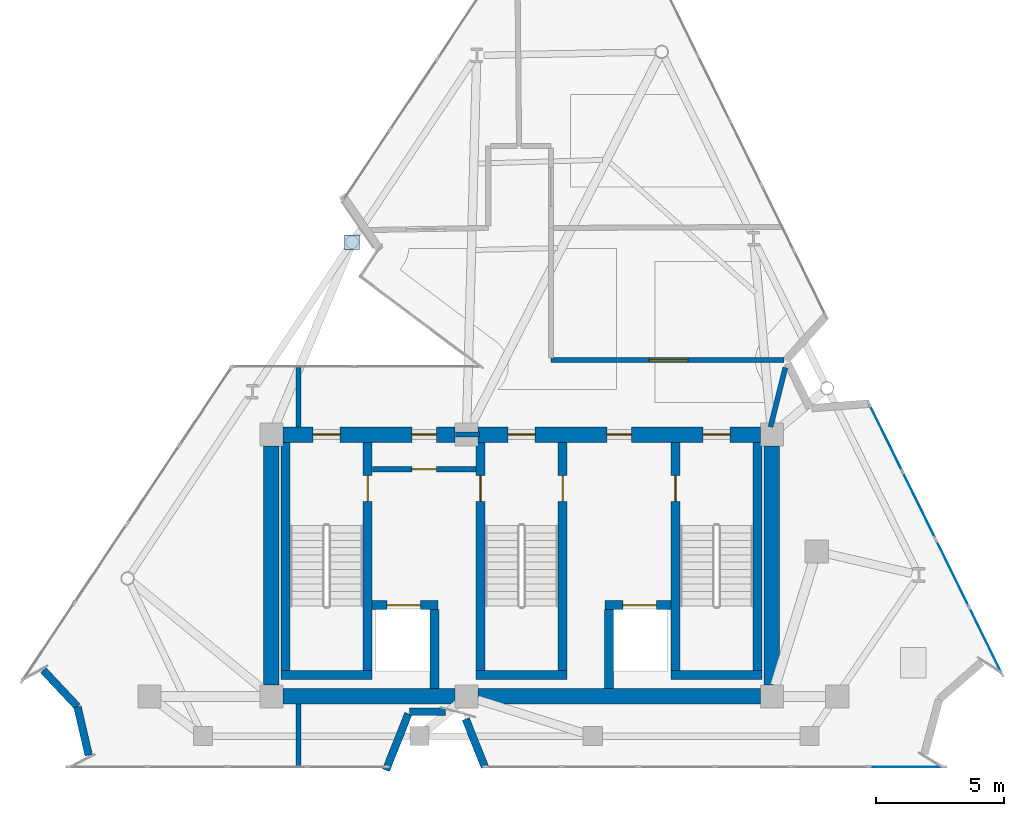
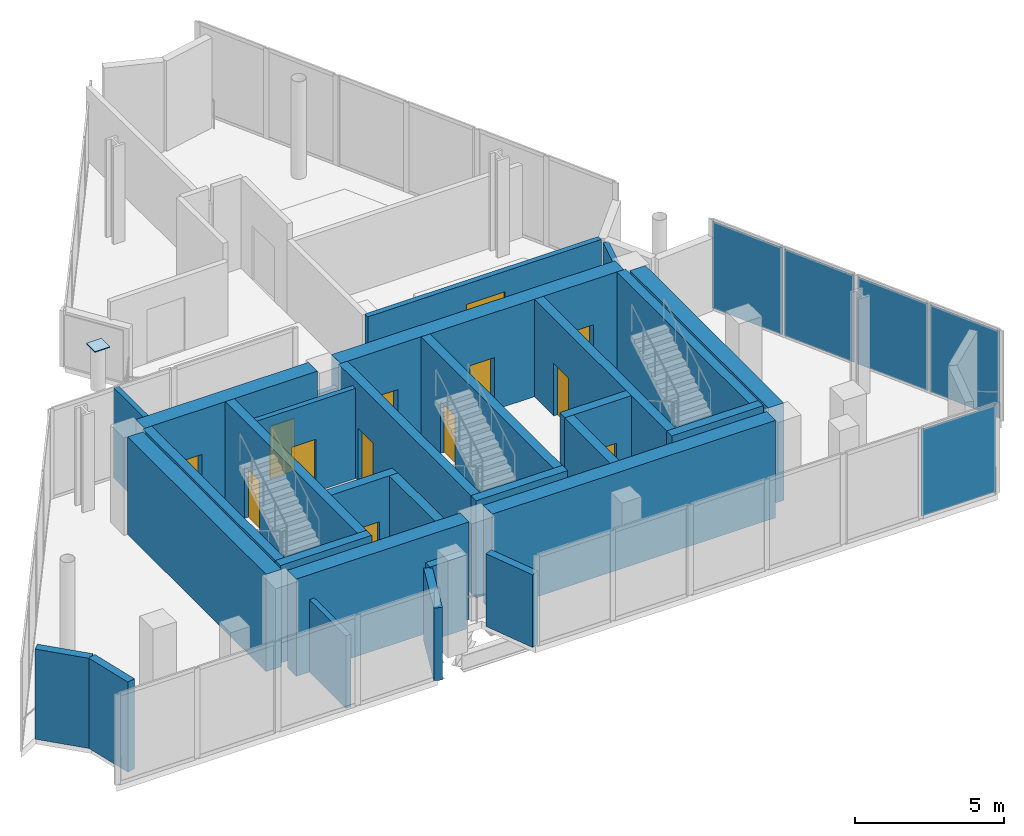
# One storey, part 6 of 9: 30 walls, 13 doors, 6 plates, 13 openings, 3 elements without a shape of their own.
"""IFC4 building model written with IfcOpenShell, lengths in metres."""

from ifc_helpers import new_model, si_unit, direction, frame, frame_2d, origin, origin_2d, place, context, subcontext, project, spatial, rectangle, extrude, material, layer, layer_set, type_object, element, fill, aggregate, save


model = new_model("IFC4")

# Units and contexts
model_context = context("Model", 3, precision=1e-05, world=origin(), true_north=direction((0.0, 1.0)))
body_context = subcontext(model_context, "Body", "Model", "MODEL_VIEW")
ifc_project = project(units=[si_unit("LENGTHUNIT", "METRE"), si_unit("AREAUNIT", "SQUARE_METRE"), si_unit("VOLUMEUNIT", "CUBIC_METRE"), si_unit("PLANEANGLEUNIT", "RADIAN"), si_unit("MASSUNIT", "GRAM", prefix="KILO")], contexts=[model_context])

# Site, building, storey
site_placement = place(None, origin())
site = spatial("IfcSite", under=ifc_project, at=site_placement, CompositionType="ELEMENT")
building_placement = place(site_placement, origin())
building = spatial("IfcBuilding", under=site, at=building_placement, Name="Almagre Mirador Tower", CompositionType="ELEMENT")
storey_placement = place(building_placement, frame((0.0, 0.0, 314.5)))
storey = spatial("IfcBuildingStorey", under=building, at=storey_placement, Name="L81", CompositionType="ELEMENT", Elevation=314.5)

# Plate
ifc_material_1 = material(Name="Steel ASTM A572 Grade 50", Category="steel")
ifc_layer_1 = layer(ifc_material_1, 0.035888671875)
ifc_layer_set_1 = layer_set([ifc_layer_1], Name="Steel ASTM A572 Grade 50")
plate_type_1 = type_object("IfcPlateType", Name="PLT-GUS-1350X900X36", PredefinedType="USERDEFINED", material=ifc_layer_set_1)
plate_1_placement = place(storey_placement, frame((30.69189453125, 22.24609375, 1.71484375), z_axis=(0.0, 0.0, 1.0), x_axis=(1.0, 0.0, 0.0)))
element("IfcPlate", 1, at=plate_1_placement, inside=storey, type_object=plate_type_1, Name="L81 hollow column top seal cap plate PC10 GP-02", ObjectType="GUSSET_PLATE", PredefinedType="USERDEFINED", context=body_context, shape_type="SweptSolid", body=[
    extrude(rectangle(XDim=0.580078125, YDim=0.580078125, at=origin_2d()), origin(), (0.0, 0.0, 1.0), 0.035888671875),
])

# Curtain wall, plates
ifc_material_2 = material(Name="Black anodized aluminium", Category="aluminium")
ifc_layer_2 = layer(ifc_material_2, 0.2099609375)
ifc_layer_set_2 = layer_set([ifc_layer_2], Name="Black anodized aluminium")
curtain_wall_type = type_object("IfcCurtainWallType", Name="CW-CRN-SYS", PredefinedType="NOTDEFINED", material=ifc_layer_set_2)
curtain_wall_1_placement = place(storey_placement, origin())
curtain_wall_1 = element("IfcCurtainWall", 2, at=curtain_wall_1_placement, inside=storey, type_object=curtain_wall_type, Name="L81 curtain wall run 10", PredefinedType="NOTDEFINED")
ifc_material_3 = material(Name="Dark solar-control laminated hurricane glass", Category="glass")
ifc_layer_3 = layer(ifc_material_3, 0.030029296875)
ifc_layer_set_3 = layer_set([ifc_layer_3], Name="Dark solar-control laminated hurricane glass")
plate_type_2 = type_object("IfcPlateType", Name="PLT-SPN-30", PredefinedType="CURTAIN_PANEL", material=ifc_layer_set_3)
plate_2_placement = place(storey_placement, frame((51.495361328125, 14.6201171875, 0.06494140625), z_axis=(0.0, 0.0, 1.0), x_axis=(0.441293649286, -0.897362755579, 0.0)))
plate_2 = element("IfcPlate", 3, at=plate_2_placement, type_object=plate_type_2, Name="CW-6 panel 1.1", PredefinedType="CURTAIN_PANEL", context=body_context, shape_type="SweptSolid", body=[
    extrude(rectangle(XDim=2.839111328125, YDim=0.030029296875, at=origin_2d()), origin(), (0.0, 0.0, 1.0), 3.570068359375),
])
plate_3_placement = place(storey_placement, frame((52.779296875, 12.009765625, 0.06494140625), z_axis=(0.0, 0.0, 1.0), x_axis=(0.441293649286, -0.897362755579, 0.0)))
plate_3 = element("IfcPlate", 4, at=plate_3_placement, type_object=plate_type_2, Name="CW-6 panel 2.1", PredefinedType="CURTAIN_PANEL", context=body_context, shape_type="SweptSolid", body=[
    extrude(rectangle(XDim=2.839111328125, YDim=0.030029296875, at=origin_2d()), origin(), (0.0, 0.0, 1.0), 3.570068359375),
])
aggregate(curtain_wall_1, [plate_2, plate_3])

curtain_wall_2_placement = place(storey_placement, origin())
curtain_wall_2 = element("IfcCurtainWall", 5, at=curtain_wall_2_placement, inside=storey, type_object=curtain_wall_type, Name="L81 curtain wall run 11", PredefinedType="NOTDEFINED")
plate_4_placement = place(storey_placement, frame((54.09375, 9.33642578125, 0.06494140625), z_axis=(0.0, 0.0, 1.0), x_axis=(0.441293649286, -0.897362755579, 0.0)))
plate_4 = element("IfcPlate", 6, at=plate_4_placement, type_object=plate_type_2, Name="CW-6 panel 1.1", PredefinedType="CURTAIN_PANEL", context=body_context, shape_type="SweptSolid", body=[
    extrude(rectangle(XDim=2.839111328125, YDim=0.030029296875, at=origin_2d()), origin(), (0.0, 0.0, 1.0), 3.570068359375),
])
plate_5_placement = place(storey_placement, frame((55.377685546875, 6.725830078125, 0.06494140625), z_axis=(0.0, 0.0, 1.0), x_axis=(0.441293649286, -0.897362755579, 0.0)))
plate_5 = element("IfcPlate", 7, at=plate_5_placement, type_object=plate_type_2, Name="CW-6 panel 2.1", PredefinedType="CURTAIN_PANEL", context=body_context, shape_type="SweptSolid", body=[
    extrude(rectangle(XDim=2.839111328125, YDim=0.030029296875, at=origin_2d()), origin(), (0.0, 0.0, 1.0), 3.570068359375),
])
aggregate(curtain_wall_2, [plate_4, plate_5])

# Curtain wall, plate
curtain_wall_3_placement = place(storey_placement, origin())
curtain_wall_3 = element("IfcCurtainWall", 8, at=curtain_wall_3_placement, inside=storey, type_object=curtain_wall_type, Name="L81 curtain wall run 12", PredefinedType="NOTDEFINED")
plate_6_placement = place(storey_placement, frame((52.28759765625, 1.800048828125, 0.06494140625), z_axis=(0.0, 0.0, 1.0), x_axis=(-1.0, 0.0, 0.0)))
plate_6 = element("IfcPlate", 9, at=plate_6_placement, type_object=plate_type_2, Name="CW-6 panel 1.1", PredefinedType="CURTAIN_PANEL", context=body_context, shape_type="SweptSolid", body=[
    extrude(rectangle(XDim=2.88427734375, YDim=0.030029296875, at=origin_2d()), origin(), (0.0, 0.0, 1.0), 3.570068359375),
])
aggregate(curtain_wall_3, [plate_6])

# Walls
ifc_material_4 = material(Name="Precast concrete C50/60", Category="concrete")
ifc_layer_4 = layer(ifc_material_4, 0.300048828125)
ifc_layer_set_4 = layer_set([ifc_layer_4], Name="Precast concrete C50/60")
wall_type_1 = type_object("IfcWallType", Name="WAL-EXT-300", PredefinedType="SOLIDWALL", material=ifc_layer_set_4)
wall_1_placement = place(storey_placement, frame((35.864013671875, 1.80029296875, 0.0), z_axis=(0.0, 0.0, 1.0), x_axis=(-0.369567038621, 0.92920407014, 0.0)))
element("IfcWall", 10, at=wall_1_placement, inside=storey, type_object=wall_type_1, Name="L81 expressed almagre precast frame wall 09", PredefinedType="SOLIDWALL", context=body_context, shape_type="SweptSolid", body=[
    extrude(rectangle(XDim=2.009033203125, YDim=0.300048828125, at=frame_2d((1.00439453125, 0.0))), origin(), (0.0, 0.0, 1.0), 2.98193359375),
])
wall_2_placement = place(storey_placement, frame((34.340087890625, 3.949951171875, 0.0), z_axis=(0.0, 0.0, 1.0), x_axis=(-1.0, 0.0, 0.0)))
element("IfcWall", 11, at=wall_2_placement, inside=storey, type_object=wall_type_1, Name="L81 expressed almagre precast frame wall 10", PredefinedType="SOLIDWALL", context=body_context, shape_type="SweptSolid", body=[
    extrude(rectangle(XDim=1.414306640625, YDim=0.300048828125, at=frame_2d((0.70703125, 0.0))), origin(), (0.0, 0.0, 1.0), 3.0400390625),
])
wall_3_placement = place(storey_placement, frame((32.88818359375, 3.872314453125, 0.0), z_axis=(0.0, 0.0, 1.0), x_axis=(-0.369524949217, -0.929220809015, 0.0)))
element("IfcWall", 12, at=wall_3_placement, inside=storey, type_object=wall_type_1, Name="L81 expressed almagre precast frame wall 11", PredefinedType="SOLIDWALL", context=body_context, shape_type="SweptSolid", body=[
    extrude(rectangle(XDim=2.369873046875, YDim=0.300048828125, at=frame_2d((1.18505859375, 0.0))), origin(), (0.0, 0.0, 1.0), 2.98193359375),
])
wall_4_placement = place(storey_placement, frame((20.431396484375, 2.25341796875, 0.0), z_axis=(0.0, 0.0, 1.0), x_axis=(-0.226355436514, 0.97404477123, 0.0)))
element("IfcWall", 13, at=wall_4_placement, inside=storey, type_object=wall_type_1, Name="L81 expressed almagre precast frame wall 12", PredefinedType="SOLIDWALL", context=body_context, shape_type="SweptSolid", body=[
    extrude(rectangle(XDim=1.942626953125, YDim=0.300048828125, at=frame_2d((0.97119140625, 0.0))), origin(), (0.0, 0.0, 1.0), 3.699951171875),
])
wall_5_placement = place(storey_placement, frame((19.9892578125, 4.14990234375, 0.0), z_axis=(0.0, 0.0, 1.0), x_axis=(-0.684517683679, 0.728996255636, 0.0)))
element("IfcWall", 14, at=wall_5_placement, inside=storey, type_object=wall_type_1, Name="L81 expressed almagre precast frame wall 13", PredefinedType="SOLIDWALL", context=body_context, shape_type="SweptSolid", body=[
    extrude(rectangle(XDim=1.943115234375, YDim=0.300048828125, at=frame_2d((0.9716796875, 0.0))), origin(), (0.0, 0.0, 1.0), 3.699951171875),
])
ifc_material_5 = material(Name="Gypsum acoustic stud partition", Category="other")
ifc_layer_5 = layer(ifc_material_5, 0.199951171875)
ifc_layer_set_5 = layer_set([ifc_layer_5], Name="Gypsum acoustic stud partition")
wall_type_2 = type_object("IfcWallType", Name="WAL-PRT-200-EI60", PredefinedType="PARTITIONING", material=ifc_layer_set_5)
wall_6_placement = place(storey_placement, frame((34.719970703125, 14.75, 0.0), z_axis=(0.0, 0.0, 1.0), x_axis=(1.0, 0.0, 0.0)))
element("IfcWall", 15, at=wall_6_placement, inside=storey, type_object=wall_type_2, Name="L81 core north closure wall", PredefinedType="PARTITIONING", context=body_context, shape_type="SweptSolid", body=[
    extrude(rectangle(XDim=0.93505859375, YDim=0.199951171875, at=frame_2d((0.467529296875, 0.0))), origin(), (0.0, 0.0, 1.0), 2.885009765625),
])

# Wall, opening, door
wall_7_placement = place(storey_placement, frame((31.47998046875, 13.39990234375, 0.0), z_axis=(0.0, 0.0, 1.0), x_axis=(1.0, 0.0, 0.0)))
wall_7 = element("IfcWall", 16, at=wall_7_placement, inside=storey, type_object=wall_type_2, Name="L81 FFL-1 north enclosure wall", PredefinedType="PARTITIONING", context=body_context, shape_type="SweptSolid", body=[
    extrude(rectangle(XDim=4.0400390625, YDim=0.199951171875, at=frame_2d((2.02001953125, 0.0))), origin(), (0.0, 0.0, 1.0), 3.699951171875),
])
opening_1_placement = place(wall_7_placement, frame((1.544921875, 0.0, 0.0)))
opening_1 = element("IfcOpeningElement", 17, at=opening_1_placement, cuts=wall_7, Name="Opening ID-02", PredefinedType="OPENING", context=body_context, shape_type="SweptSolid", body=[
    extrude(rectangle(XDim=0.949951171875, YDim=2.14990234375, at=frame_2d((0.47509765625, 1.074951171875))), frame((0.0, 0.110098, 0.0), z_axis=(0.0, -1.0, 0.0), x_axis=(1.0, 0.0, 0.0)), (0.0, 0.0, 1.0), 0.219951),
])
ifc_material_6 = material(Name="Fire-rated walnut timber", Category="wood")
door_type_1 = type_object("IfcDoorType", Name="DOR-FD60-950X2150", OperationType="NOTDEFINED", PredefinedType="DOOR", material=ifc_material_6)
door_1_placement = place(opening_1_placement, origin())
door_1 = element("IfcDoor", 18, at=door_1_placement, inside=storey, type_object=door_type_1, Name="DR-2355 L81 FFL-1 north smoke door", OperationType="SINGLE_SWING_LEFT", OverallHeight=2.14990234375, OverallWidth=0.949951171875, PredefinedType="DOOR", context=body_context, shape_type="SweptSolid", body=[
    extrude(rectangle(XDim=0.949951171875, YDim=2.14990234375, at=frame_2d((0.47509765625, 1.074951171875))), frame((0.0, 0.02490234375, 0.0), z_axis=(0.0, -1.0, 0.0), x_axis=(1.0, 0.0, 0.0)), (0.0, 0.0, 1.0), 0.050048828125),
])
fill(opening_1, door_1)

# Walls
wall_8_placement = place(storey_placement, frame((28.60009765625, 4.25, 0.0), z_axis=(0.0, 0.0, 1.0), x_axis=(0.0, -1.0, 0.0)))
element("IfcWall", 19, at=wall_8_placement, inside=storey, type_object=wall_type_2, Name="L81 interior partition 001", PredefinedType="PARTITIONING", context=body_context, shape_type="SweptSolid", body=[
    extrude(rectangle(XDim=2.449951171875, YDim=0.199951171875, at=frame_2d((1.22509765625, 0.0))), origin(), (0.0, 0.0, 1.0), 2.97705078125),
])
wall_9_placement = place(storey_placement, frame((28.60009765625, 17.39990234375, 0.0), z_axis=(0.0, 0.0, 1.0), x_axis=(0.0, -1.0, 0.0)))
element("IfcWall", 20, at=wall_9_placement, inside=storey, type_object=wall_type_2, Name="L81 interior partition 010", PredefinedType="PARTITIONING", context=body_context, shape_type="SweptSolid", body=[
    extrude(rectangle(XDim=2.349853515625, YDim=0.199951171875, at=frame_2d((1.1748046875, 0.0))), origin(), (0.0, 0.0, 1.0), 3.699951171875),
])
wall_10_placement = place(storey_placement, frame((47.0, 15.050048828125, 0.0), z_axis=(0.0, 0.0, 1.0), x_axis=(0.242801110844, 0.970076090094, 0.0)))
element("IfcWall", 21, at=wall_10_placement, inside=storey, type_object=wall_type_2, Name="L81 interior partition 011", PredefinedType="PARTITIONING", context=body_context, shape_type="SweptSolid", body=[
    extrude(rectangle(XDim=2.380126953125, YDim=0.199951171875, at=frame_2d((1.18994140625, 0.0))), origin(), (0.0, 0.0, 1.0), 3.034912109375),
])

# Wall, opening, door
wall_11_placement = place(storey_placement, frame((47.51708984375, 17.652099609375, 0.0), z_axis=(0.0, 0.0, 1.0), x_axis=(-0.999999970637, -0.000242332851, 0.0)))
wall_11 = element("IfcWall", 22, at=wall_11_placement, inside=storey, type_object=wall_type_2, Name="L81 interior partition 012", PredefinedType="PARTITIONING", context=body_context, shape_type="SweptSolid", body=[
    extrude(rectangle(XDim=9.067138671875, YDim=0.199951171875, at=frame_2d((4.53369140625, 0.0))), origin(), (0.0, 0.0, 1.0), 3.034912109375),
])
opening_2_placement = place(wall_11_placement, frame((3.736572265625, 0.0, 0.0)))
opening_2 = element("IfcOpeningElement", 23, at=opening_2_placement, cuts=wall_11, Name="Opening ID-04", PredefinedType="OPENING", context=body_context, shape_type="SweptSolid", body=[
    extrude(rectangle(XDim=1.5, YDim=2.199951171875, at=frame_2d((0.75, 1.10009765625))), frame((0.0, 0.110098, 0.0), z_axis=(0.0, -1.0, 0.0), x_axis=(1.0, 0.0, 0.0)), (0.0, 0.0, 1.0), 0.219951),
])
ifc_material_7 = material(Name="Fire-rated hollow steel", Category="steel")
door_type_2 = type_object("IfcDoorType", Name="DOR-FD60-1500X2200", OperationType="DOUBLE_DOOR_SINGLE_SWING", PredefinedType="DOOR", material=ifc_material_7)
door_2_placement = place(opening_2_placement, origin())
door_2 = element("IfcDoor", 24, at=door_2_placement, inside=storey, type_object=door_type_2, Name="DR-2362 L81 interior door L81-KCOR to L81-KPLT5", OperationType="DOUBLE_DOOR_SINGLE_SWING", OverallHeight=2.199951171875, OverallWidth=1.5, PredefinedType="DOOR", context=body_context, shape_type="SweptSolid", body=[
    extrude(rectangle(XDim=1.5, YDim=2.199951171875, at=frame_2d((0.75, 1.10009765625))), frame((0.0, 0.02490234375, 0.0), z_axis=(0.0, -1.0, 0.0), x_axis=(1.0, 0.0, 0.0)), (0.0, 0.0, 1.0), 0.050048828125),
])
fill(opening_2, door_2)

# Wall
ifc_material_8 = material(Name="Concrete C60/75", Category="concrete")
ifc_layer_6 = layer(ifc_material_8, 0.35009765625)
ifc_layer_set_6 = layer_set([ifc_layer_6], Name="Concrete C60/75")
wall_type_3 = type_object("IfcWallType", Name="WAL-SHF-350", PredefinedType="SOLIDWALL", material=ifc_layer_set_6)
wall_12_placement = place(storey_placement, frame((28.10009765625, 5.199951171875, 0.0), z_axis=(0.0, 0.0, 1.0), x_axis=(0.0, 1.0, 0.0)))
element("IfcWall", 25, at=wall_12_placement, inside=storey, type_object=wall_type_3, Name="L81 shaft wall ST1-W", PredefinedType="SOLIDWALL", context=body_context, shape_type="SweptSolid", body=[
    extrude(rectangle(XDim=9.25, YDim=0.35009765625, at=frame_2d((4.625, 0.0))), origin(), (0.0, 0.0, 1.0), 4.0),
])

# Wall, opening, door
wall_13_placement = place(storey_placement, frame((31.300048828125, 5.199951171875, 0.0), z_axis=(0.0, 0.0, 1.0), x_axis=(0.0, 1.0, 0.0)))
wall_13 = element("IfcWall", 26, at=wall_13_placement, inside=storey, type_object=wall_type_3, Name="L81 shaft wall ST1-E", PredefinedType="SOLIDWALL", context=body_context, shape_type="SweptSolid", body=[
    extrude(rectangle(XDim=9.25, YDim=0.35009765625, at=frame_2d((4.625, 0.0))), origin(), (0.0, 0.0, 1.0), 4.0),
])
opening_3_placement = place(wall_13_placement, frame((6.949951171875, 0.0, 0.0)))
opening_3 = element("IfcOpeningElement", 27, at=opening_3_placement, cuts=wall_13, Name="Opening FD-01", PredefinedType="OPENING", context=body_context, shape_type="SweptSolid", body=[
    extrude(rectangle(XDim=1.0, YDim=2.14990234375, at=frame_2d((0.5, 1.074951171875))), frame((0.0, 0.185049, 0.0), z_axis=(0.0, -1.0, 0.0), x_axis=(1.0, 0.0, 0.0)), (0.0, 0.0, 1.0), 0.370098),
])
ifc_material_9 = material(Name="Fire-rated hollow steel", Category="steel")
door_type_3 = type_object("IfcDoorType", Name="DOR-FFL-1000X2150", OperationType="NOTDEFINED", PredefinedType="DOOR", material=ifc_material_9)
door_3_placement = place(opening_3_placement, origin())
door_3 = element("IfcDoor", 28, at=door_3_placement, inside=storey, type_object=door_type_3, Name="DR-2356 L81 FFL1-ST1 smokeproof door", OperationType="SINGLE_SWING_LEFT", OverallHeight=2.14990234375, OverallWidth=1.0, PredefinedType="DOOR", context=body_context, shape_type="SweptSolid", body=[
    extrude(rectangle(XDim=1.0, YDim=2.14990234375, at=frame_2d((0.5, 1.074951171875))), frame((0.0, 0.02490234375, 0.0), z_axis=(0.0, -1.0, 0.0), x_axis=(1.0, 0.0, 0.0)), (0.0, 0.0, 1.0), 0.050048828125),
])
fill(opening_3, door_3)

# Wall
wall_14_placement = place(storey_placement, frame((27.925048828125, 5.375, 0.0), z_axis=(0.0, 0.0, 1.0), x_axis=(1.0, 0.0, 0.0)))
element("IfcWall", 29, at=wall_14_placement, inside=storey, type_object=wall_type_3, Name="L81 shaft wall ST1-S", PredefinedType="SOLIDWALL", context=body_context, shape_type="SweptSolid", body=[
    extrude(rectangle(XDim=3.550048828125, YDim=0.35009765625, at=frame_2d((1.77490234375, 0.0))), origin(), (0.0, 0.0, 1.0), 4.0),
])

# Wall, opening, door
wall_15_placement = place(storey_placement, frame((35.699951171875, 5.199951171875, 0.0), z_axis=(0.0, 0.0, 1.0), x_axis=(0.0, 1.0, 0.0)))
wall_15 = element("IfcWall", 30, at=wall_15_placement, inside=storey, type_object=wall_type_3, Name="L81 shaft wall ST2-W", PredefinedType="SOLIDWALL", context=body_context, shape_type="SweptSolid", body=[
    extrude(rectangle(XDim=9.25, YDim=0.35009765625, at=frame_2d((4.625, 0.0))), origin(), (0.0, 0.0, 1.0), 4.0),
])
opening_4_placement = place(wall_15_placement, frame((6.949951171875, 0.0, 0.0)))
opening_4 = element("IfcOpeningElement", 31, at=opening_4_placement, cuts=wall_15, Name="Opening FD-01", PredefinedType="OPENING", context=body_context, shape_type="SweptSolid", body=[
    extrude(rectangle(XDim=1.0, YDim=2.14990234375, at=frame_2d((0.5, 1.074951171875))), frame((0.0, 0.185049, 0.0), z_axis=(0.0, -1.0, 0.0), x_axis=(1.0, 0.0, 0.0)), (0.0, 0.0, 1.0), 0.370098),
])
door_4_placement = place(opening_4_placement, origin())
door_4 = element("IfcDoor", 32, at=door_4_placement, inside=storey, type_object=door_type_3, Name="DR-2357 L81 FFL1-ST2 smokeproof door", OperationType="SINGLE_SWING_RIGHT", OverallHeight=2.14990234375, OverallWidth=1.0, PredefinedType="DOOR", context=body_context, shape_type="SweptSolid", body=[
    extrude(rectangle(XDim=1.0, YDim=2.14990234375, at=frame_2d((0.5, 1.074951171875))), frame((0.0, 0.02490234375, 0.0), z_axis=(0.0, -1.0, 0.0), x_axis=(1.0, 0.0, 0.0)), (0.0, 0.0, 1.0), 0.050048828125),
])
fill(opening_4, door_4)

wall_16_placement = place(storey_placement, frame((38.89990234375, 5.199951171875, 0.0), z_axis=(0.0, 0.0, 1.0), x_axis=(0.0, 1.0, 0.0)))
wall_16 = element("IfcWall", 33, at=wall_16_placement, inside=storey, type_object=wall_type_3, Name="L81 shaft wall ST2-E", PredefinedType="SOLIDWALL", context=body_context, shape_type="SweptSolid", body=[
    extrude(rectangle(XDim=9.25, YDim=0.35009765625, at=frame_2d((4.625, 0.0))), origin(), (0.0, 0.0, 1.0), 4.0),
])
opening_5_placement = place(wall_16_placement, frame((6.949951171875, 0.0, 0.0)))
opening_5 = element("IfcOpeningElement", 34, at=opening_5_placement, cuts=wall_16, Name="Opening FD-01", PredefinedType="OPENING", context=body_context, shape_type="SweptSolid", body=[
    extrude(rectangle(XDim=1.0, YDim=2.14990234375, at=frame_2d((0.5, 1.074951171875))), frame((0.0, 0.185049, 0.0), z_axis=(0.0, -1.0, 0.0), x_axis=(1.0, 0.0, 0.0)), (0.0, 0.0, 1.0), 0.370098),
])
door_5_placement = place(opening_5_placement, origin())
door_5 = element("IfcDoor", 35, at=door_5_placement, inside=storey, type_object=door_type_3, Name="DR-2358 L81 FFL2-ST2 smokeproof door", OperationType="SINGLE_SWING_LEFT", OverallHeight=2.14990234375, OverallWidth=1.0, PredefinedType="DOOR", context=body_context, shape_type="SweptSolid", body=[
    extrude(rectangle(XDim=1.0, YDim=2.14990234375, at=frame_2d((0.5, 1.074951171875))), frame((0.0, 0.02490234375, 0.0), z_axis=(0.0, -1.0, 0.0), x_axis=(1.0, 0.0, 0.0)), (0.0, 0.0, 1.0), 0.050048828125),
])
fill(opening_5, door_5)

# Wall
wall_17_placement = place(storey_placement, frame((35.52490234375, 5.375, 0.0), z_axis=(0.0, 0.0, 1.0), x_axis=(1.0, 0.0, 0.0)))
element("IfcWall", 36, at=wall_17_placement, inside=storey, type_object=wall_type_3, Name="L81 shaft wall ST2-S", PredefinedType="SOLIDWALL", context=body_context, shape_type="SweptSolid", body=[
    extrude(rectangle(XDim=3.550048828125, YDim=0.35009765625, at=frame_2d((1.77490234375, 0.0))), origin(), (0.0, 0.0, 1.0), 4.0),
])

# Wall, opening, door
wall_18_placement = place(storey_placement, frame((43.300048828125, 5.199951171875, 0.0), z_axis=(0.0, 0.0, 1.0), x_axis=(0.0, 1.0, 0.0)))
wall_18 = element("IfcWall", 37, at=wall_18_placement, inside=storey, type_object=wall_type_3, Name="L81 shaft wall ST3-W", PredefinedType="SOLIDWALL", context=body_context, shape_type="SweptSolid", body=[
    extrude(rectangle(XDim=9.25, YDim=0.35009765625, at=frame_2d((4.625, 0.0))), origin(), (0.0, 0.0, 1.0), 4.0),
])
opening_6_placement = place(wall_18_placement, frame((6.949951171875, 0.0, 0.0)))
opening_6 = element("IfcOpeningElement", 38, at=opening_6_placement, cuts=wall_18, Name="Opening FD-01", PredefinedType="OPENING", context=body_context, shape_type="SweptSolid", body=[
    extrude(rectangle(XDim=1.0, YDim=2.14990234375, at=frame_2d((0.5, 1.074951171875))), frame((0.0, 0.185049, 0.0), z_axis=(0.0, -1.0, 0.0), x_axis=(1.0, 0.0, 0.0)), (0.0, 0.0, 1.0), 0.370098),
])
door_6_placement = place(opening_6_placement, origin())
door_6 = element("IfcDoor", 39, at=door_6_placement, inside=storey, type_object=door_type_3, Name="DR-2359 L81 FFL2-ST3 smokeproof door", OperationType="SINGLE_SWING_RIGHT", OverallHeight=2.14990234375, OverallWidth=1.0, PredefinedType="DOOR", context=body_context, shape_type="SweptSolid", body=[
    extrude(rectangle(XDim=1.0, YDim=2.14990234375, at=frame_2d((0.5, 1.074951171875))), frame((0.0, 0.02490234375, 0.0), z_axis=(0.0, -1.0, 0.0), x_axis=(1.0, 0.0, 0.0)), (0.0, 0.0, 1.0), 0.050048828125),
])
fill(opening_6, door_6)

# Walls
wall_19_placement = place(storey_placement, frame((46.5, 5.199951171875, 0.0), z_axis=(0.0, 0.0, 1.0), x_axis=(0.0, 1.0, 0.0)))
element("IfcWall", 40, at=wall_19_placement, inside=storey, type_object=wall_type_3, Name="L81 shaft wall ST3-E", PredefinedType="SOLIDWALL", context=body_context, shape_type="SweptSolid", body=[
    extrude(rectangle(XDim=9.25, YDim=0.35009765625, at=frame_2d((4.625, 0.0))), origin(), (0.0, 0.0, 1.0), 4.0),
])
wall_20_placement = place(storey_placement, frame((43.125, 5.375, 0.0), z_axis=(0.0, 0.0, 1.0), x_axis=(1.0, 0.0, 0.0)))
element("IfcWall", 41, at=wall_20_placement, inside=storey, type_object=wall_type_3, Name="L81 shaft wall ST3-S", PredefinedType="SOLIDWALL", context=body_context, shape_type="SweptSolid", body=[
    extrude(rectangle(XDim=3.550048828125, YDim=0.35009765625, at=frame_2d((1.77490234375, 0.0))), origin(), (0.0, 0.0, 1.0), 4.0),
])

# Wall, opening, door
wall_21_placement = place(storey_placement, frame((31.47509765625, 8.10009765625, 0.0), z_axis=(0.0, 0.0, 1.0), x_axis=(1.0, 0.0, 0.0)))
wall_21 = element("IfcWall", 42, at=wall_21_placement, inside=storey, type_object=wall_type_3, Name="L81 shaft wall FSAE1-N", PredefinedType="SOLIDWALL", context=body_context, shape_type="SweptSolid", body=[
    extrude(rectangle(XDim=2.574951171875, YDim=0.35009765625, at=frame_2d((1.28759765625, 0.0))), origin(), (0.0, 0.0, 1.0), 4.0),
])
opening_7_placement = place(wall_21_placement, frame((0.574951171875, 0.0, 0.0)))
opening_7 = element("IfcOpeningElement", 43, at=opening_7_placement, cuts=wall_21, Name="Opening LD-03", PredefinedType="OPENING", context=body_context, shape_type="SweptSolid", body=[
    extrude(rectangle(XDim=1.300048828125, YDim=2.25, at=frame_2d((0.64990234375, 1.125))), frame((0.0, 0.185049, 0.0), z_axis=(0.0, -1.0, 0.0), x_axis=(1.0, 0.0, 0.0)), (0.0, 0.0, 1.0), 0.370098),
])
ifc_material_10 = material(Name="Hollow stainless steel", Category="steel")
door_type_4 = type_object("IfcDoorType", Name="DOR-LD-1300X2250", OperationType="DOUBLE_DOOR_SLIDING", PredefinedType="DOOR", material=ifc_material_10)
door_7_placement = place(opening_7_placement, origin())
door_7 = element("IfcDoor", 44, at=door_7_placement, inside=storey, type_object=door_type_4, Name="DR-2363 L81 FSAE-1 lift landing door", OperationType="DOUBLE_DOOR_SLIDING", OverallHeight=2.25, OverallWidth=1.300048828125, PredefinedType="DOOR", context=body_context, shape_type="SweptSolid", body=[
    extrude(rectangle(XDim=1.300048828125, YDim=2.25, at=frame_2d((0.64990234375, 1.125))), frame((0.0, 0.02490234375, 0.0), z_axis=(0.0, -1.0, 0.0), x_axis=(1.0, 0.0, 0.0)), (0.0, 0.0, 1.0), 0.050048828125),
])
fill(opening_7, door_7)

wall_22_placement = place(storey_placement, frame((40.550048828125, 8.10009765625, 0.0), z_axis=(0.0, 0.0, 1.0), x_axis=(1.0, 0.0, 0.0)))
wall_22 = element("IfcWall", 45, at=wall_22_placement, inside=storey, type_object=wall_type_3, Name="L81 shaft wall FSAE2-N", PredefinedType="SOLIDWALL", context=body_context, shape_type="SweptSolid", body=[
    extrude(rectangle(XDim=2.574951171875, YDim=0.35009765625, at=frame_2d((1.28759765625, 0.0))), origin(), (0.0, 0.0, 1.0), 4.0),
])
opening_8_placement = place(wall_22_placement, frame((0.699951171875, 0.0, 0.0)))
opening_8 = element("IfcOpeningElement", 46, at=opening_8_placement, cuts=wall_22, Name="Opening LD-03", PredefinedType="OPENING", context=body_context, shape_type="SweptSolid", body=[
    extrude(rectangle(XDim=1.300048828125, YDim=2.25, at=frame_2d((0.64990234375, 1.125))), frame((0.0, 0.185049, 0.0), z_axis=(0.0, -1.0, 0.0), x_axis=(1.0, 0.0, 0.0)), (0.0, 0.0, 1.0), 0.370098),
])
door_8_placement = place(opening_8_placement, origin())
door_8 = element("IfcDoor", 47, at=door_8_placement, inside=storey, type_object=door_type_4, Name="DR-2364 L81 FSAE-2 lift landing door", OperationType="DOUBLE_DOOR_SLIDING", OverallHeight=2.25, OverallWidth=1.300048828125, PredefinedType="DOOR", context=body_context, shape_type="SweptSolid", body=[
    extrude(rectangle(XDim=1.300048828125, YDim=2.25, at=frame_2d((0.64990234375, 1.125))), frame((0.0, 0.02490234375, 0.0), z_axis=(0.0, -1.0, 0.0), x_axis=(1.0, 0.0, 0.0)), (0.0, 0.0, 1.0), 0.050048828125),
])
fill(opening_8, door_8)

# Walls
for number, where, z_axis, x_axis, name in (
    (48, (33.89990234375, 4.85009765625, 0.0), (0.0, 0.0, 1.0), (0.0, 1.0, 0.0), "L81 shaft wall FSAE1-E"),
    (49, (40.699951171875, 4.85009765625, 0.0), (0.0, 0.0, 1.0), (0.0, 1.0, 0.0), "L81 shaft wall FSAE2-W"),
):
    element("IfcWall", number, at=place(storey_placement, frame(where, z_axis=z_axis, x_axis=x_axis)), inside=storey, type_object=wall_type_3, Name=name, PredefinedType="SOLIDWALL", context=body_context, shape_type="SweptSolid", body=[
        extrude(rectangle(XDim=3.074951171875, YDim=0.35009765625, at=frame_2d((1.53759765625, 0.0))), origin(), (0.0, 0.0, 1.0), 4.0),
    ])
ifc_material_11 = material(Name="Concrete C60/75", Category="concrete")
ifc_layer_7 = layer(ifc_material_11, 0.60009765625)
ifc_layer_set_7 = layer_set([ifc_layer_7], Name="Concrete C60/75")
wall_type_4 = type_object("IfcWallType", Name="WAL-SHR-600", PredefinedType="SHEAR", material=ifc_layer_set_7)
wall_23_placement = place(storey_placement, frame((28.0, 4.550048828125, 0.0), z_axis=(0.0, 0.0, 1.0), x_axis=(1.0, 0.0, 0.0)))
element("IfcWall", 50, at=wall_23_placement, inside=storey, type_object=wall_type_4, Name="L81 core shear wall S1", PredefinedType="SHEAR", context=body_context, shape_type="SweptSolid", body=[
    extrude(rectangle(XDim=6.699951171875, YDim=0.60009765625, at=frame_2d((3.35009765625, 0.0))), origin(), (0.0, 0.0, 1.0), 4.0),
])
wall_24_placement = place(storey_placement, frame((35.60009765625, 4.550048828125, 0.0), z_axis=(0.0, 0.0, 1.0), x_axis=(1.0, 0.0, 0.0)))
element("IfcWall", 51, at=wall_24_placement, inside=storey, type_object=wall_type_4, Name="L81 core shear wall S2", PredefinedType="SHEAR", context=body_context, shape_type="SweptSolid", body=[
    extrude(rectangle(XDim=11.0, YDim=0.60009765625, at=frame_2d((5.5, 0.0))), origin(), (0.0, 0.0, 1.0), 4.0),
])

# Wall, openings, doors
wall_25_placement = place(storey_placement, frame((28.0, 14.75, 0.0), z_axis=(0.0, 0.0, 1.0), x_axis=(1.0, 0.0, 0.0)))
wall_25 = element("IfcWall", 52, at=wall_25_placement, inside=storey, type_object=wall_type_4, Name="L81 core shear wall N1", PredefinedType="SHEAR", context=body_context, shape_type="SweptSolid", body=[
    extrude(rectangle(XDim=6.699951171875, YDim=0.60009765625, at=frame_2d((3.35009765625, 0.0))), origin(), (0.0, 0.0, 1.0), 4.0),
])
opening_9_placement = place(wall_25_placement, frame((1.175048828125, 0.0, 0.0)))
opening_9 = element("IfcOpeningElement", 53, at=opening_9_placement, cuts=wall_25, Name="Opening SD-01", PredefinedType="OPENING", context=body_context, shape_type="SweptSolid", body=[
    extrude(rectangle(XDim=1.050048828125, YDim=2.14990234375, at=frame_2d((0.52490234375, 1.074951171875))), frame((0.0, 0.310049, 0.0), z_axis=(0.0, -1.0, 0.0), x_axis=(1.0, 0.0, 0.0)), (0.0, 0.0, 1.0), 0.620098),
])
opening_10_placement = place(wall_25_placement, frame((5.02490234375, 0.0, 0.0)))
opening_10 = element("IfcOpeningElement", 54, at=opening_10_placement, cuts=wall_25, Name="Opening FD-02", PredefinedType="OPENING", context=body_context, shape_type="SweptSolid", body=[
    extrude(rectangle(XDim=0.949951171875, YDim=2.14990234375, at=frame_2d((0.47509765625, 1.074951171875))), frame((0.0, 0.310049, 0.0), z_axis=(0.0, -1.0, 0.0), x_axis=(1.0, 0.0, 0.0)), (0.0, 0.0, 1.0), 0.620098),
])
ifc_material_12 = material(Name="Fire-rated hollow steel", Category="steel")
door_type_5 = type_object("IfcDoorType", Name="DOR-FD90-950X2150", OperationType="NOTDEFINED", PredefinedType="DOOR", material=ifc_material_12)
door_9_placement = place(opening_10_placement, origin())
door_9 = element("IfcDoor", 55, at=door_9_placement, inside=storey, type_object=door_type_5, Name="DR-2354 L81 core equipment room north door", OperationType="SINGLE_SWING_LEFT", OverallHeight=2.14990234375, OverallWidth=0.949951171875, PredefinedType="DOOR", context=body_context, shape_type="SweptSolid", body=[
    extrude(rectangle(XDim=0.949951171875, YDim=2.14990234375, at=frame_2d((0.47509765625, 1.074951171875))), frame((0.0, 0.02490234375, 0.0), z_axis=(0.0, -1.0, 0.0), x_axis=(1.0, 0.0, 0.0)), (0.0, 0.0, 1.0), 0.050048828125),
])
fill(opening_10, door_9)
ifc_material_13 = material(Name="Fire-rated hollow steel", Category="steel")
door_type_6 = type_object("IfcDoorType", Name="DOR-ST-1050X2150", OperationType="NOTDEFINED", PredefinedType="DOOR", material=ifc_material_13)
door_10_placement = place(opening_9_placement, origin())
door_10 = element("IfcDoor", 56, at=door_10_placement, inside=storey, type_object=door_type_6, Name="DR-2365 L81 protected exit stair ST-1 door", OperationType="SINGLE_SWING_RIGHT", OverallHeight=2.14990234375, OverallWidth=1.050048828125, PredefinedType="DOOR", context=body_context, shape_type="SweptSolid", body=[
    extrude(rectangle(XDim=1.050048828125, YDim=2.14990234375, at=frame_2d((0.52490234375, 1.074951171875))), frame((0.0, 0.02490234375, 0.0), z_axis=(0.0, -1.0, 0.0), x_axis=(1.0, 0.0, 0.0)), (0.0, 0.0, 1.0), 0.050048828125),
])
fill(opening_9, door_10)

wall_26_placement = place(storey_placement, frame((35.60009765625, 14.75, 0.0), z_axis=(0.0, 0.0, 1.0), x_axis=(1.0, 0.0, 0.0)))
wall_26 = element("IfcWall", 57, at=wall_26_placement, inside=storey, type_object=wall_type_4, Name="L81 core shear wall N2", PredefinedType="SHEAR", context=body_context, shape_type="SweptSolid", body=[
    extrude(rectangle(XDim=11.0, YDim=0.60009765625, at=frame_2d((5.5, 0.0))), origin(), (0.0, 0.0, 1.0), 4.0),
])
opening_11_placement = place(wall_26_placement, frame((1.175048828125, 0.0, 0.0)))
opening_11 = element("IfcOpeningElement", 58, at=opening_11_placement, cuts=wall_26, Name="Opening SD-01", PredefinedType="OPENING", context=body_context, shape_type="SweptSolid", body=[
    extrude(rectangle(XDim=1.050048828125, YDim=2.14990234375, at=frame_2d((0.52490234375, 1.074951171875))), frame((0.0, 0.310049, 0.0), z_axis=(0.0, -1.0, 0.0), x_axis=(1.0, 0.0, 0.0)), (0.0, 0.0, 1.0), 0.620098),
])
opening_12_placement = place(wall_26_placement, frame((8.77490234375, 0.0, 0.0)))
opening_12 = element("IfcOpeningElement", 59, at=opening_12_placement, cuts=wall_26, Name="Opening SD-01", PredefinedType="OPENING", context=body_context, shape_type="SweptSolid", body=[
    extrude(rectangle(XDim=1.050048828125, YDim=2.14990234375, at=frame_2d((0.52490234375, 1.074951171875))), frame((0.0, 0.310049, 0.0), z_axis=(0.0, -1.0, 0.0), x_axis=(1.0, 0.0, 0.0)), (0.0, 0.0, 1.0), 0.620098),
])
opening_13_placement = place(wall_26_placement, frame((5.02490234375, 0.0, 0.0)))
opening_13 = element("IfcOpeningElement", 60, at=opening_13_placement, cuts=wall_26, Name="Opening FD-02", PredefinedType="OPENING", context=body_context, shape_type="SweptSolid", body=[
    extrude(rectangle(XDim=0.949951171875, YDim=2.14990234375, at=frame_2d((0.47509765625, 1.074951171875))), frame((0.0, 0.310049, 0.0), z_axis=(0.0, -1.0, 0.0), x_axis=(1.0, 0.0, 0.0)), (0.0, 0.0, 1.0), 0.620098),
])
door_11_placement = place(opening_13_placement, origin())
door_11 = element("IfcDoor", 61, at=door_11_placement, inside=storey, type_object=door_type_5, Name="DR-2353 L81 high-zone core room north door", OperationType="SINGLE_SWING_LEFT", OverallHeight=2.14990234375, OverallWidth=0.949951171875, PredefinedType="DOOR", context=body_context, shape_type="SweptSolid", body=[
    extrude(rectangle(XDim=0.949951171875, YDim=2.14990234375, at=frame_2d((0.47509765625, 1.074951171875))), frame((0.0, 0.02490234375, 0.0), z_axis=(0.0, -1.0, 0.0), x_axis=(1.0, 0.0, 0.0)), (0.0, 0.0, 1.0), 0.050048828125),
])
fill(opening_13, door_11)
door_12_placement = place(opening_11_placement, origin())
door_12 = element("IfcDoor", 62, at=door_12_placement, inside=storey, type_object=door_type_6, Name="DR-2366 L81 protected exit stair ST-2 door", OperationType="SINGLE_SWING_LEFT", OverallHeight=2.14990234375, OverallWidth=1.050048828125, PredefinedType="DOOR", context=body_context, shape_type="SweptSolid", body=[
    extrude(rectangle(XDim=1.050048828125, YDim=2.14990234375, at=frame_2d((0.52490234375, 1.074951171875))), frame((0.0, 0.02490234375, 0.0), z_axis=(0.0, -1.0, 0.0), x_axis=(1.0, 0.0, 0.0)), (0.0, 0.0, 1.0), 0.050048828125),
])
fill(opening_11, door_12)
door_13_placement = place(opening_12_placement, origin())
door_13 = element("IfcDoor", 63, at=door_13_placement, inside=storey, type_object=door_type_6, Name="DR-2367 L81 protected exit stair ST-3 door", OperationType="SINGLE_SWING_RIGHT", OverallHeight=2.14990234375, OverallWidth=1.050048828125, PredefinedType="DOOR", context=body_context, shape_type="SweptSolid", body=[
    extrude(rectangle(XDim=1.050048828125, YDim=2.14990234375, at=frame_2d((0.52490234375, 1.074951171875))), frame((0.0, 0.02490234375, 0.0), z_axis=(0.0, -1.0, 0.0), x_axis=(1.0, 0.0, 0.0)), (0.0, 0.0, 1.0), 0.050048828125),
])
fill(opening_12, door_13)

# Walls
for number, where, z_axis, x_axis, name in (
    (64, (27.550048828125, 5.0, 0.0), (0.0, 0.0, 1.0), (0.0, 1.0, 0.0), "L81 core shear wall W1"),
    (65, (47.050048828125, 5.0, 0.0), (0.0, 0.0, 1.0), (0.0, 1.0, 0.0), "L81 core shear wall E1"),
):
    element("IfcWall", number, at=place(storey_placement, frame(where, z_axis=z_axis, x_axis=x_axis)), inside=storey, type_object=wall_type_4, Name=name, PredefinedType="SHEAR", context=body_context, shape_type="SweptSolid", body=[
        extrude(rectangle(XDim=9.300048828125, YDim=0.60009765625, at=frame_2d((4.64990234375, 0.0))), origin(), (0.0, 0.0, 1.0), 4.0),
    ])

save(model, "model.ifc")
